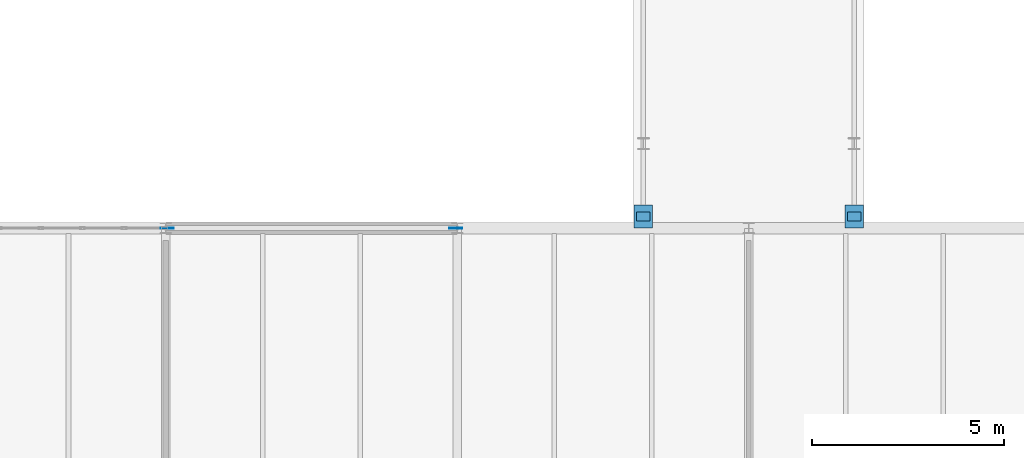
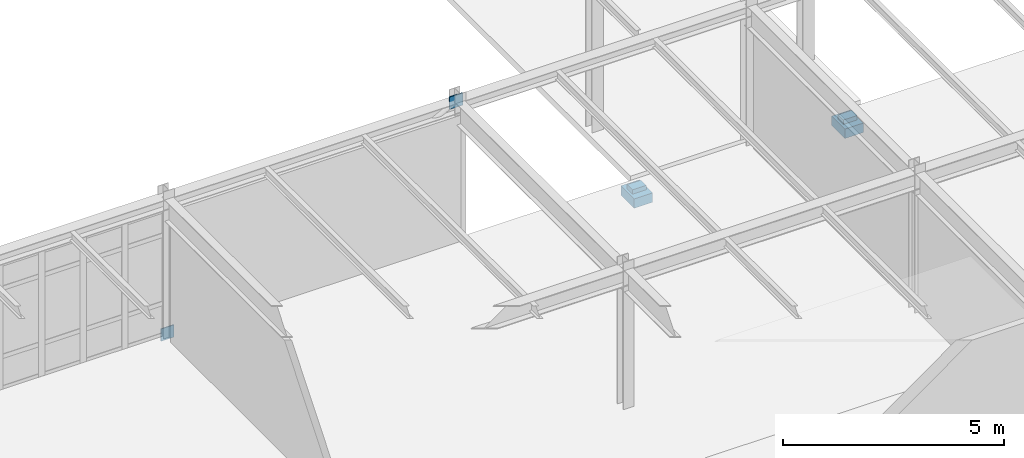
# One storey, part 146 of 165: 6 discrete accessories.
"""IFC4 building model written with IfcOpenShell, lengths in metres."""

from ifc_helpers import new_model, si_unit, direction, frame, origin, origin_2d, place, context, subcontext, project, spatial, rectangle, extrude, material, type_object, element, save


model = new_model("IFC4")

# Units and contexts
model_context = context("Model", 3, precision=1e-05, world=origin(), true_north=direction((0.0, 1.0)))
body_context = subcontext(model_context, "Body", "Model", "MODEL_VIEW")
ifc_project = project(units=[si_unit("LENGTHUNIT", "METRE"), si_unit("AREAUNIT", "SQUARE_METRE"), si_unit("VOLUMEUNIT", "CUBIC_METRE"), si_unit("PLANEANGLEUNIT", "RADIAN"), si_unit("MASSUNIT", "GRAM", prefix="KILO")], contexts=[model_context])

# Site, building, storey
site_placement = place(None, origin())
site = spatial("IfcSite", under=ifc_project, at=site_placement, CompositionType="ELEMENT")
building_placement = place(site_placement, origin())
building = spatial("IfcBuilding", under=site, at=building_placement, Name="Montecoro Central Library", CompositionType="ELEMENT")
storey_placement = place(building_placement, frame((0.0, 0.0, 5.10009765625)))
storey = spatial("IfcBuildingStorey", under=building, at=storey_placement, Name="L01", CompositionType="ELEMENT", Elevation=5.10009765625)

# Discrete accessories
ifc_material_1 = material(Name="Steel S355 and PTFE elastomer", Category="steel")
discrete_accessory_type_1 = type_object("IfcDiscreteAccessoryType", Name="BRG-SLIDE-01", PredefinedType="USERDEFINED", material=ifc_material_1)
for number, where, z_axis, x_axis, name in (
    (1, (25.050048828125, 35.699951171875, -0.545166015625), (0.0, 0.0, 1.0), (1.0, 0.0, 0.0), "BR-W-L01-BRG-WA"),
    (2, (30.550048828125, 35.699951171875, -0.545166015625), (0.0, 0.0, 1.0), (1.0, 0.0, 0.0), "BR-W-L01-BRG-EA"),
):
    element("IfcDiscreteAccessory", number, at=place(storey_placement, frame(where, z_axis=z_axis, x_axis=x_axis)), inside=storey, type_object=discrete_accessory_type_1, Name=name, ObjectType="GUIDED SLIDING BEARING", PredefinedType="USERDEFINED", context=body_context, shape_type="SweptSolid", body=[
        extrude(rectangle(XDim=0.360107421875, YDim=0.239990234375, at=origin_2d()), origin(), (0.0, 0.0, 1.0), 0.1201171875),
    ])
ifc_material_2 = material(Name="Steel S355", Category="steel")
discrete_accessory_type_2 = type_object("IfcDiscreteAccessoryType", Name="CORBEL-SEAT-600", PredefinedType="BRACKET", material=ifc_material_2)
for number, where, z_axis, x_axis, name in (
    (3, (25.050048828125, 35.699951171875, -0.80517578125), (0.0, 0.0, 1.0), (1.0, 0.0, 0.0), "BR-W-L01-SEAT-WA"),
    (4, (30.550048828125, 35.699951171875, -0.80517578125), (0.0, 0.0, 1.0), (1.0, 0.0, 0.0), "BR-W-L01-SEAT-EA"),
):
    element("IfcDiscreteAccessory", number, at=place(storey_placement, frame(where, z_axis=z_axis, x_axis=x_axis)), inside=storey, type_object=discrete_accessory_type_2, Name=name, PredefinedType="BRACKET", context=body_context, shape_type="SweptSolid", body=[
        extrude(rectangle(XDim=0.47998046875, YDim=0.60009765625, at=origin_2d()), origin(), (0.0, 0.0, 1.0), 0.260009765625),
    ])
discrete_accessory_type_3 = type_object("IfcDiscreteAccessoryType", Name="GUSSET-PLT-01", PredefinedType="BRACKET", material=ifc_material_2)
for number, where, z_axis, x_axis, name in (
    (5, (12.635986328125, 35.39990234375, -0.14208984375), (0.0, 0.0, 1.0), (1.0, 0.0, 0.0), "V3-L01-BRN1-GPA"),
    (6, (20.1640625, 35.39990234375, 3.61669921875), (0.0, 0.0, 1.0), (1.0, 0.0, 0.0), "V3-L01-BRN1-GPB"),
):
    element("IfcDiscreteAccessory", number, at=place(storey_placement, frame(where, z_axis=z_axis, x_axis=x_axis)), inside=storey, type_object=discrete_accessory_type_3, Name=name, PredefinedType="BRACKET", context=body_context, shape_type="SweptSolid", body=[
        extrude(rectangle(XDim=0.340087890625, YDim=0.02392578125, at=origin_2d()), origin(), (0.0, 0.0, 1.0), 0.340087890625),
    ])

save(model, "model.ifc")
